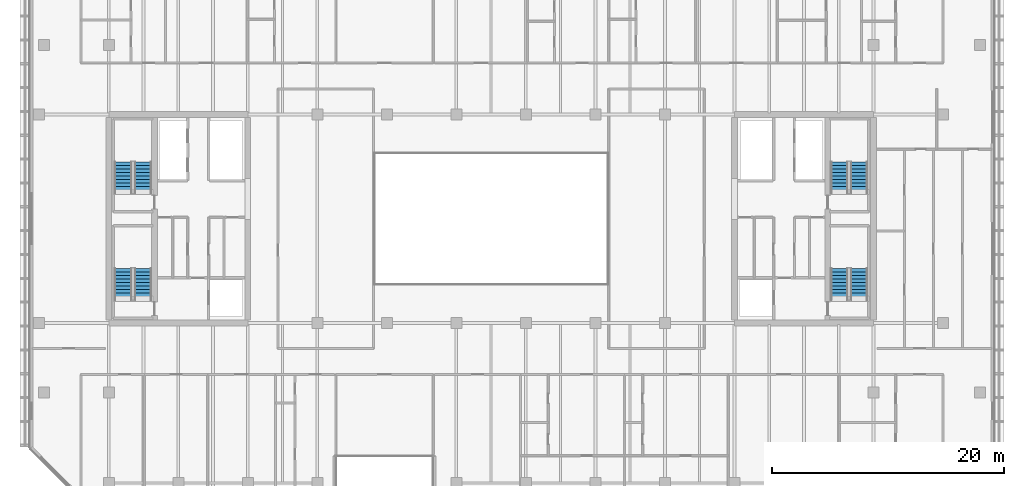
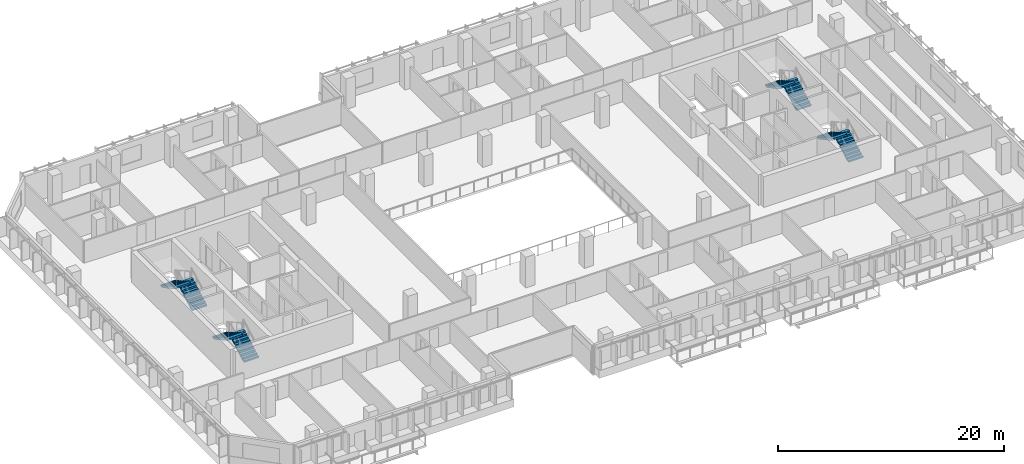
# One storey, part 17 of 23: 8 stair flights, 4 elements without a shape of their own.
"""IFC4 building model written with IfcOpenShell, lengths in metres."""

from ifc_helpers import new_model, si_unit, direction, frame, origin, place, context, subcontext, project, spatial, polyline, outline, extrude, material, type_object, element, aggregate, save


model = new_model("IFC4")

# Units and contexts
model_context = context("Model", 3, precision=1e-05, world=origin(), true_north=direction((0.0, 1.0)))
body_context = subcontext(model_context, "Body", "Model", "MODEL_VIEW")
ifc_project = project(units=[si_unit("LENGTHUNIT", "METRE"), si_unit("AREAUNIT", "SQUARE_METRE"), si_unit("VOLUMEUNIT", "CUBIC_METRE"), si_unit("PLANEANGLEUNIT", "RADIAN"), si_unit("MASSUNIT", "GRAM", prefix="KILO")], contexts=[model_context])

# Site, building, storey
site_placement = place(None, origin())
site = spatial("IfcSite", under=ifc_project, at=site_placement, CompositionType="ELEMENT")
building_placement = place(site_placement, origin())
building = spatial("IfcBuilding", under=site, at=building_placement, Name="Tanjung Sevakor Pilgrim Tower", CompositionType="ELEMENT")
storey_placement = place(building_placement, frame((0.0, 0.0, 105.27001953125)))
storey = spatial("IfcBuildingStorey", under=building, at=storey_placement, Name="L29", CompositionType="ELEMENT", Elevation=105.27001953125)

# Stair, stair flights
ifc_material_1 = material(Name="Concrete C40/50", Category="concrete")
stair_type = type_object("IfcStairType", Name="STAIR-ST-CR150", PredefinedType="HALF_TURN_STAIR", material=ifc_material_1)
stair_1_placement = place(storey_placement, origin())
stair_1 = element("IfcStair", 1, at=stair_1_placement, inside=storey, type_object=stair_type, Name="L29 West Core Exit Stair 1", PredefinedType="HALF_TURN_STAIR")
ifc_material_2 = material(Name="Concrete C40/50", Category="concrete")
stair_flight_type = type_object("IfcStairFlightType", Name="FLIGHT-ST-CR150", PredefinedType="STRAIGHT", material=ifc_material_2)
stair_flight_1_placement = place(storey_placement, frame((26.949951171875, 26.60009765625, 0.0), z_axis=(0.0, 0.0, 1.0), x_axis=(0.0, 1.0, 0.0)))
stair_flight_1 = element("IfcStairFlight", 2, at=stair_flight_1_placement, type_object=stair_flight_type, Name="TS-W1 flight 1", NumberOfRisers=10, NumberOfTreads=9, PredefinedType="STRAIGHT", RiserHeight=0.165, TreadLength=0.3, context=body_context, shape_type="SweptSolid", body=[
    extrude(outline(polyline([(0.0, 0.0), (0.0, 0.1650390625), (0.300048828125, 0.1650390625), (0.300048828125, 0.330078125), (0.60009765625, 0.330078125), (0.60009765625, 0.4951171875), (0.89990234375, 0.4951171875), (0.89990234375, 0.659912109375), (1.199951171875, 0.659912109375), (1.199951171875, 0.824951171875), (1.5, 0.824951171875), (1.5, 0.989990234375), (1.800048828125, 0.989990234375), (1.800048828125, 1.155029296875), (2.10009765625, 1.155029296875), (2.10009765625, 1.320068359375), (2.39990234375, 1.320068359375), (2.39990234375, 1.485107421875), (2.699951171875, 1.485107421875), (2.699951171875, 1.64990234375), (2.699951171875, 1.302490234375), (0.331787109375, 0.0), (0.0, 0.0)])), frame((0.0, 0.75, 0.0), z_axis=(0.0, -1.0, 0.0), x_axis=(1.0, 0.0, 0.0)), (0.0, 0.0, 1.0), 1.5),
])
stair_flight_2_placement = place(storey_placement, frame((25.25, 29.300048828125, 1.64990234375), z_axis=(0.0, 0.0, 1.0), x_axis=(0.0, -1.0, 0.0)))
stair_flight_2 = element("IfcStairFlight", 3, at=stair_flight_2_placement, type_object=stair_flight_type, Name="TS-W1 flight 2", NumberOfRisers=10, NumberOfTreads=9, PredefinedType="STRAIGHT", RiserHeight=0.165, TreadLength=0.3, context=body_context, shape_type="SweptSolid", body=[
    extrude(outline(polyline([(0.0, 0.0), (0.0, 0.1650390625), (0.300048828125, 0.1650390625), (0.300048828125, 0.330078125), (0.60009765625, 0.330078125), (0.60009765625, 0.4951171875), (0.89990234375, 0.4951171875), (0.89990234375, 0.659912109375), (1.199951171875, 0.659912109375), (1.199951171875, 0.824951171875), (1.5, 0.824951171875), (1.5, 0.989990234375), (1.800048828125, 0.989990234375), (1.800048828125, 1.155029296875), (2.10009765625, 1.155029296875), (2.10009765625, 1.320068359375), (2.39990234375, 1.320068359375), (2.39990234375, 1.485107421875), (2.699951171875, 1.485107421875), (2.699951171875, 1.64990234375), (2.699951171875, 1.302490234375), (0.331787109375, 0.0), (0.0, 0.0)])), frame((0.0, 0.75, 0.0), z_axis=(0.0, -1.0, 0.0), x_axis=(1.0, 0.0, 0.0)), (0.0, 0.0, 1.0), 1.5),
])
aggregate(stair_1, [stair_flight_1, stair_flight_2])

stair_2_placement = place(storey_placement, origin())
stair_2 = element("IfcStair", 4, at=stair_2_placement, inside=storey, type_object=stair_type, Name="L29 West Core Exit Stair 2", PredefinedType="HALF_TURN_STAIR")
stair_flight_3_placement = place(storey_placement, frame((26.949951171875, 35.800048828125, 0.0), z_axis=(0.0, 0.0, 1.0), x_axis=(0.0, 1.0, 0.0)))
stair_flight_3 = element("IfcStairFlight", 5, at=stair_flight_3_placement, type_object=stair_flight_type, Name="TS-W2 flight 1", NumberOfRisers=10, NumberOfTreads=9, PredefinedType="STRAIGHT", RiserHeight=0.165, TreadLength=0.3, context=body_context, shape_type="SweptSolid", body=[
    extrude(outline(polyline([(0.0, 0.0), (0.0, 0.1650390625), (0.300048828125, 0.1650390625), (0.300048828125, 0.330078125), (0.60009765625, 0.330078125), (0.60009765625, 0.4951171875), (0.89990234375, 0.4951171875), (0.89990234375, 0.659912109375), (1.199951171875, 0.659912109375), (1.199951171875, 0.824951171875), (1.5, 0.824951171875), (1.5, 0.989990234375), (1.800048828125, 0.989990234375), (1.800048828125, 1.155029296875), (2.10009765625, 1.155029296875), (2.10009765625, 1.320068359375), (2.39990234375, 1.320068359375), (2.39990234375, 1.485107421875), (2.699951171875, 1.485107421875), (2.699951171875, 1.64990234375), (2.699951171875, 1.302490234375), (0.331787109375, 0.0), (0.0, 0.0)])), frame((0.0, 0.75, 0.0), z_axis=(0.0, -1.0, 0.0), x_axis=(1.0, 0.0, 0.0)), (0.0, 0.0, 1.0), 1.5),
])
stair_flight_4_placement = place(storey_placement, frame((25.25, 38.5, 1.64990234375), z_axis=(0.0, 0.0, 1.0), x_axis=(0.0, -1.0, 0.0)))
stair_flight_4 = element("IfcStairFlight", 6, at=stair_flight_4_placement, type_object=stair_flight_type, Name="TS-W2 flight 2", NumberOfRisers=10, NumberOfTreads=9, PredefinedType="STRAIGHT", RiserHeight=0.165, TreadLength=0.3, context=body_context, shape_type="SweptSolid", body=[
    extrude(outline(polyline([(0.0, 0.0), (0.0, 0.1650390625), (0.300048828125, 0.1650390625), (0.300048828125, 0.330078125), (0.60009765625, 0.330078125), (0.60009765625, 0.4951171875), (0.89990234375, 0.4951171875), (0.89990234375, 0.659912109375), (1.199951171875, 0.659912109375), (1.199951171875, 0.824951171875), (1.5, 0.824951171875), (1.5, 0.989990234375), (1.800048828125, 0.989990234375), (1.800048828125, 1.155029296875), (2.10009765625, 1.155029296875), (2.10009765625, 1.320068359375), (2.39990234375, 1.320068359375), (2.39990234375, 1.485107421875), (2.699951171875, 1.485107421875), (2.699951171875, 1.64990234375), (2.699951171875, 1.302490234375), (0.331787109375, 0.0), (0.0, 0.0)])), frame((0.0, 0.75, 0.0), z_axis=(0.0, -1.0, 0.0), x_axis=(1.0, 0.0, 0.0)), (0.0, 0.0, 1.0), 1.5),
])
aggregate(stair_2, [stair_flight_3, stair_flight_4])

stair_3_placement = place(storey_placement, origin())
stair_3 = element("IfcStair", 7, at=stair_3_placement, inside=storey, type_object=stair_type, Name="L29 East Core Exit Stair 1", PredefinedType="HALF_TURN_STAIR")
stair_flight_5_placement = place(storey_placement, frame((88.75, 26.60009765625, 0.0), z_axis=(0.0, 0.0, 1.0), x_axis=(0.0, 1.0, 0.0)))
stair_flight_5 = element("IfcStairFlight", 8, at=stair_flight_5_placement, type_object=stair_flight_type, Name="TS-E1 flight 1", NumberOfRisers=10, NumberOfTreads=9, PredefinedType="STRAIGHT", RiserHeight=0.165, TreadLength=0.3, context=body_context, shape_type="SweptSolid", body=[
    extrude(outline(polyline([(0.0, 0.0), (0.0, 0.1650390625), (0.300048828125, 0.1650390625), (0.300048828125, 0.330078125), (0.60009765625, 0.330078125), (0.60009765625, 0.4951171875), (0.89990234375, 0.4951171875), (0.89990234375, 0.659912109375), (1.199951171875, 0.659912109375), (1.199951171875, 0.824951171875), (1.5, 0.824951171875), (1.5, 0.989990234375), (1.800048828125, 0.989990234375), (1.800048828125, 1.155029296875), (2.10009765625, 1.155029296875), (2.10009765625, 1.320068359375), (2.39990234375, 1.320068359375), (2.39990234375, 1.485107421875), (2.699951171875, 1.485107421875), (2.699951171875, 1.64990234375), (2.699951171875, 1.302490234375), (0.331787109375, 0.0), (0.0, 0.0)])), frame((0.0, 0.75, 0.0), z_axis=(0.0, -1.0, 0.0), x_axis=(1.0, 0.0, 0.0)), (0.0, 0.0, 1.0), 1.5),
])
stair_flight_6_placement = place(storey_placement, frame((87.050048828125, 29.300048828125, 1.64990234375), z_axis=(0.0, 0.0, 1.0), x_axis=(0.0, -1.0, 0.0)))
stair_flight_6 = element("IfcStairFlight", 9, at=stair_flight_6_placement, type_object=stair_flight_type, Name="TS-E1 flight 2", NumberOfRisers=10, NumberOfTreads=9, PredefinedType="STRAIGHT", RiserHeight=0.165, TreadLength=0.3, context=body_context, shape_type="SweptSolid", body=[
    extrude(outline(polyline([(0.0, 0.0), (0.0, 0.1650390625), (0.300048828125, 0.1650390625), (0.300048828125, 0.330078125), (0.60009765625, 0.330078125), (0.60009765625, 0.4951171875), (0.89990234375, 0.4951171875), (0.89990234375, 0.659912109375), (1.199951171875, 0.659912109375), (1.199951171875, 0.824951171875), (1.5, 0.824951171875), (1.5, 0.989990234375), (1.800048828125, 0.989990234375), (1.800048828125, 1.155029296875), (2.10009765625, 1.155029296875), (2.10009765625, 1.320068359375), (2.39990234375, 1.320068359375), (2.39990234375, 1.485107421875), (2.699951171875, 1.485107421875), (2.699951171875, 1.64990234375), (2.699951171875, 1.302490234375), (0.331787109375, 0.0), (0.0, 0.0)])), frame((0.0, 0.75, 0.0), z_axis=(0.0, -1.0, 0.0), x_axis=(1.0, 0.0, 0.0)), (0.0, 0.0, 1.0), 1.5),
])
aggregate(stair_3, [stair_flight_5, stair_flight_6])

stair_4_placement = place(storey_placement, origin())
stair_4 = element("IfcStair", 10, at=stair_4_placement, inside=storey, type_object=stair_type, Name="L29 East Core Exit Stair 2", PredefinedType="HALF_TURN_STAIR")
stair_flight_7_placement = place(storey_placement, frame((88.75, 35.800048828125, 0.0), z_axis=(0.0, 0.0, 1.0), x_axis=(0.0, 1.0, 0.0)))
stair_flight_7 = element("IfcStairFlight", 11, at=stair_flight_7_placement, type_object=stair_flight_type, Name="TS-E2 flight 1", NumberOfRisers=10, NumberOfTreads=9, PredefinedType="STRAIGHT", RiserHeight=0.165, TreadLength=0.3, context=body_context, shape_type="SweptSolid", body=[
    extrude(outline(polyline([(0.0, 0.0), (0.0, 0.1650390625), (0.300048828125, 0.1650390625), (0.300048828125, 0.330078125), (0.60009765625, 0.330078125), (0.60009765625, 0.4951171875), (0.89990234375, 0.4951171875), (0.89990234375, 0.659912109375), (1.199951171875, 0.659912109375), (1.199951171875, 0.824951171875), (1.5, 0.824951171875), (1.5, 0.989990234375), (1.800048828125, 0.989990234375), (1.800048828125, 1.155029296875), (2.10009765625, 1.155029296875), (2.10009765625, 1.320068359375), (2.39990234375, 1.320068359375), (2.39990234375, 1.485107421875), (2.699951171875, 1.485107421875), (2.699951171875, 1.64990234375), (2.699951171875, 1.302490234375), (0.331787109375, 0.0), (0.0, 0.0)])), frame((0.0, 0.75, 0.0), z_axis=(0.0, -1.0, 0.0), x_axis=(1.0, 0.0, 0.0)), (0.0, 0.0, 1.0), 1.5),
])
stair_flight_8_placement = place(storey_placement, frame((87.050048828125, 38.5, 1.64990234375), z_axis=(0.0, 0.0, 1.0), x_axis=(0.0, -1.0, 0.0)))
stair_flight_8 = element("IfcStairFlight", 12, at=stair_flight_8_placement, type_object=stair_flight_type, Name="TS-E2 flight 2", NumberOfRisers=10, NumberOfTreads=9, PredefinedType="STRAIGHT", RiserHeight=0.165, TreadLength=0.3, context=body_context, shape_type="SweptSolid", body=[
    extrude(outline(polyline([(0.0, 0.0), (0.0, 0.1650390625), (0.300048828125, 0.1650390625), (0.300048828125, 0.330078125), (0.60009765625, 0.330078125), (0.60009765625, 0.4951171875), (0.89990234375, 0.4951171875), (0.89990234375, 0.659912109375), (1.199951171875, 0.659912109375), (1.199951171875, 0.824951171875), (1.5, 0.824951171875), (1.5, 0.989990234375), (1.800048828125, 0.989990234375), (1.800048828125, 1.155029296875), (2.10009765625, 1.155029296875), (2.10009765625, 1.320068359375), (2.39990234375, 1.320068359375), (2.39990234375, 1.485107421875), (2.699951171875, 1.485107421875), (2.699951171875, 1.64990234375), (2.699951171875, 1.302490234375), (0.331787109375, 0.0), (0.0, 0.0)])), frame((0.0, 0.75, 0.0), z_axis=(0.0, -1.0, 0.0), x_axis=(1.0, 0.0, 0.0)), (0.0, 0.0, 1.0), 1.5),
])
aggregate(stair_4, [stair_flight_7, stair_flight_8])

save(model, "model.ifc")
